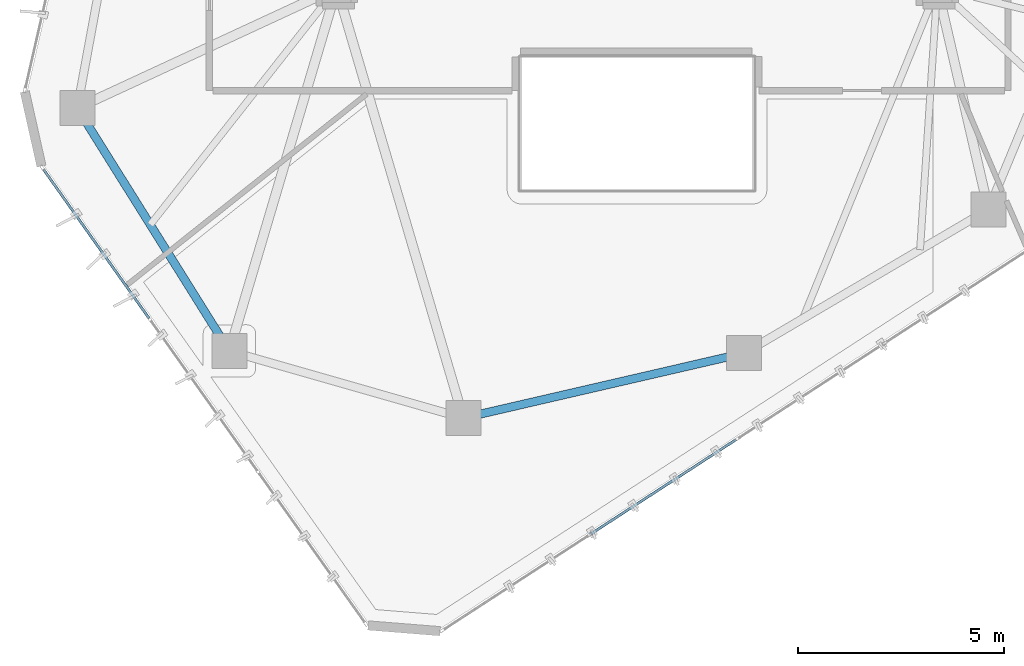
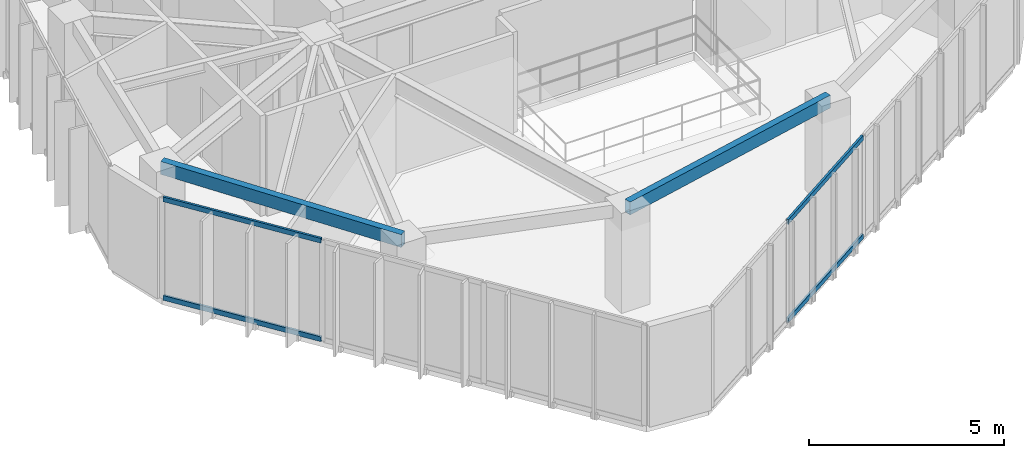
# One storey, part 3 of 20: 4 members, 2 beams, 2 elements without a shape of their own.
"""IFC4 building model written with IfcOpenShell, lengths in metres."""

import ifcopenshell
import ifcopenshell.guid

model = None  # the IFC model being written
_history = None  # IfcOwnerHistory: only IFC2X3 demands one
_inside = {}  # id of a spatial element -> (the spatial element, [elements in it])
_under = {}  # id of a project, library or spatial element -> (it, [spatial elements below it])
_declared = {}  # id of a project -> (the project, [libraries it declares])
_typed = {}  # id of a type object -> (the type object, [elements of that type])
_made_of = {}  # id of a material, layer set ... -> (it, [elements and type objects made of it])


def new_model(schema):
    """Start an empty IFC model of exactly this schema.

    Asked for "IFC4X3", IfcOpenShell would pick the latest addendum, in which some entities
    have other attributes; the version numbers below select the first issue.
    IFC2X3 requires an IfcOwnerHistory on every rooted entity: one is made here for all.
    """
    global model, _history
    if schema == "IFC4X3":
        model = ifcopenshell.file(schema_version=(4, 3, 0, 0))
    else:
        model = ifcopenshell.file(schema=schema)
    _inside.clear()
    _under.clear()
    _declared.clear()
    _typed.clear()
    _made_of.clear()
    _history = None
    if model.schema == "IFC2X3":
        org = make("IfcOrganization", Name="unknown")
        user = make(
            "IfcPersonAndOrganization",
            ThePerson=make("IfcPerson", FamilyName="unknown"),
            TheOrganization=org,
        )
        app = make(
            "IfcApplication",
            ApplicationDeveloper=org,
            Version="unknown",
            ApplicationFullName="unknown",
            ApplicationIdentifier="unknown",
        )
        _history = make(
            "IfcOwnerHistory",
            OwningUser=user,
            OwningApplication=app,
            ChangeAction="ADDED",
            CreationDate=0,
        )
    return model


def make(cls, **values):
    """One entity of the class cls with the attributes given. An attribute that is None is left unset."""
    return model.create_entity(
        cls, **{name: value for name, value in values.items() if value is not None}
    )


def rooted(cls, **values):
    """An entity with a GlobalId (a new one), such as an element, a storey or a relation."""
    return make(cls, GlobalId=ifcopenshell.guid.new(), OwnerHistory=_history, **values)


def si_unit(unit_type, name, prefix=None):
    """IfcSIUnit, for example si_unit("LENGTHUNIT", "METRE", prefix="MILLI")."""
    return make("IfcSIUnit", UnitType=unit_type, Prefix=prefix, Name=name)


def assignment(units):
    """IfcUnitAssignment: the units of a project."""
    return None if units is None else make("IfcUnitAssignment", Units=units)


def point(xyz):
    """IfcCartesianPoint."""
    return None if xyz is None else make("IfcCartesianPoint", Coordinates=xyz)


def direction(xyz):
    """IfcDirection."""
    return None if xyz is None else make("IfcDirection", DirectionRatios=xyz)


def frame(location, z_axis=None, x_axis=None):
    """IfcAxis2Placement3D, a coordinate frame: its origin and axes. An axis left out is left unset."""
    return make(
        "IfcAxis2Placement3D",
        Location=point(location),
        Axis=direction(z_axis),
        RefDirection=direction(x_axis),
    )


def frame_2d(location, x_axis=None):
    """IfcAxis2Placement2D, a coordinate frame in the plane: its origin and x axis."""
    return make(
        "IfcAxis2Placement2D", Location=point(location), RefDirection=direction(x_axis)
    )


def origin():
    """The frame at (0, 0, 0) with its axes left unset."""
    return frame((0.0, 0.0, 0.0))


def origin_2d():
    """The frame at (0, 0) in the plane with its x axis left unset."""
    return frame_2d((0.0, 0.0))


def place(relative_to, where):
    """IfcLocalPlacement: puts the frame where relative to a parent placement (None: the world)."""
    return make(
        "IfcLocalPlacement", PlacementRelTo=relative_to, RelativePlacement=where
    )


def context(
    kind, dimensions, precision=None, world=None, true_north=None, identifier=None
):
    """IfcGeometricRepresentationContext, for example the 3D "Model" context."""
    return make(
        "IfcGeometricRepresentationContext",
        ContextIdentifier=identifier,
        ContextType=kind,
        CoordinateSpaceDimension=dimensions,
        Precision=precision,
        WorldCoordinateSystem=world,
        TrueNorth=true_north,
    )


def subcontext(parent, identifier, kind, view, scale=None):
    """IfcGeometricRepresentationSubContext, for example "Body" below "Model"."""
    return make(
        "IfcGeometricRepresentationSubContext",
        ContextIdentifier=identifier,
        ContextType=kind,
        ParentContext=parent,
        TargetScale=scale,
        TargetView=view,
    )


def project(units=None, contexts=None):
    """IfcProject with its units and contexts."""
    return rooted(
        "IfcProject",
        Name="project",
        RepresentationContexts=contexts,
        UnitsInContext=assignment(units),
    )


def spatial(cls, under=None, at=None, **own):
    """A site, building, storey or space (cls), placed at a placement, below another one or the project."""
    s = rooted(cls, ObjectPlacement=at, **own)
    if under is not None:
        _under.setdefault(under.id(), (under, []))[1].append(s)
    return s


def profile(cls, at=None, kind="AREA", **sizes):
    """A parametric profile (cls). Its sizes go by their IFC names, for example OverallWidth=200.0."""
    return make(cls, ProfileType=kind, Position=at, **sizes)


def hollow_rectangle(**sizes):
    """IfcRectangleHollowProfileDef."""
    return profile("IfcRectangleHollowProfileDef", **sizes)


def extrude(swept, where, along, depth):
    """IfcExtrudedAreaSolid: the profile swept, set in the frame where, extruded along a direction by depth."""
    return make(
        "IfcExtrudedAreaSolid",
        SweptArea=swept,
        Position=where,
        ExtrudedDirection=direction(along),
        Depth=depth,
    )


def shape(context_of_items, identifier, shape_type, items):
    """IfcShapeRepresentation: the items that make up one representation, for example the "Body"."""
    return make(
        "IfcShapeRepresentation",
        ContextOfItems=context_of_items,
        RepresentationIdentifier=identifier,
        RepresentationType=shape_type,
        Items=items,
    )


def source(mapping_origin, context_of_items, identifier, shape_type, items):
    """IfcRepresentationMap: a shape defined once, which mapped items show again and again."""
    return make(
        "IfcRepresentationMap",
        MappingOrigin=mapping_origin,
        MappedRepresentation=shape(context_of_items, identifier, shape_type, items),
    )


def transform(
    local_origin,
    x_axis=None,
    y_axis=None,
    z_axis=None,
    scale=None,
    scale2=None,
    scale3=None,
    uniform=True,
):
    """IfcCartesianTransformationOperator3D, or its non-uniform kind. x_axis, y_axis, z_axis: its Axis1, 2, 3."""
    if uniform:
        return make(
            "IfcCartesianTransformationOperator3D",
            Axis1=direction(x_axis),
            Axis2=direction(y_axis),
            LocalOrigin=point(local_origin),
            Scale=scale,
            Axis3=direction(z_axis),
        )
    return make(
        "IfcCartesianTransformationOperator3DnonUniform",
        Axis1=direction(x_axis),
        Axis2=direction(y_axis),
        LocalOrigin=point(local_origin),
        Scale=scale,
        Axis3=direction(z_axis),
        Scale2=scale2,
        Scale3=scale3,
    )


def mapped(mapping_source, mapping_target):
    """IfcMappedItem: shows the shape of a source again, moved by a transform."""
    return make(
        "IfcMappedItem", MappingSource=mapping_source, MappingTarget=mapping_target
    )


def material(Name=None, Category=None):
    """IfcMaterial."""
    return make("IfcMaterial", Name=Name, Category=Category)


def layer(
    of_material, thickness, ventilated=None, Name=None, Category=None, Priority=None
):
    """IfcMaterialLayer: one layer of a wall or slab, of a material (None: an air gap)."""
    return make(
        "IfcMaterialLayer",
        Material=of_material,
        LayerThickness=thickness,
        IsVentilated=ventilated,
        Name=Name,
        Category=Category,
        Priority=Priority,
    )


def layer_set(layers, Name=None):
    """IfcMaterialLayerSet."""
    return make("IfcMaterialLayerSet", MaterialLayers=layers, LayerSetName=Name)


def material_profile(
    of_material, cross_section, Name=None, Category=None, Priority=None
):
    """IfcMaterialProfile: a cross section and its material."""
    return make(
        "IfcMaterialProfile",
        Name=Name,
        Material=of_material,
        Profile=cross_section,
        Priority=Priority,
        Category=Category,
    )


def profile_set(profiles, Name=None, composite=None):
    """IfcMaterialProfileSet."""
    return make(
        "IfcMaterialProfileSet",
        Name=Name,
        MaterialProfiles=profiles,
        CompositeProfile=composite,
    )


def made_of(thing, what):
    """Note that an element or type object is made of a material, layer set ...; save() writes the relation."""
    if what is not None:
        _made_of.setdefault(what.id(), (what, []))[1].append(thing)
    return thing


def type_object(cls, material=None, **own):
    """A type object (cls), such as IfcWallType, which elements share."""
    return made_of(rooted(cls, **own), material)


def type_shapes(of_type, sources):
    """Give a type object the sources (RepresentationMaps) that its elements show as mapped items."""
    of_type.RepresentationMaps = sources


def element(
    cls,
    number,
    at=None,
    inside=None,
    cuts=None,
    type_object=None,
    material=None,
    context=None,
    identifier="Body",
    shape_type=None,
    held_by="IfcProductDefinitionShape",
    body=None,
    shapes=None,
    **own,
):
    """One element of the class cls, such as IfcWall. Its Tag is "e" and its number.

    at: its placement. inside: the storey or other place that contains it. cuts: it is an
    opening in that element (IfcRelVoidsElement). A single representation is given by context,
    identifier, shape_type and body (its items); several are given by shapes. held_by: the class
    of the entity that holds the representations. save() writes the other relations.
    """
    e = rooted(cls, Tag="e%d" % number, ObjectPlacement=at, **own)
    if body is not None:
        shapes = [shape(context, identifier, shape_type, body)]
    if shapes is not None:
        e.Representation = make(held_by, Representations=shapes)
    if inside is not None:
        _inside.setdefault(inside.id(), (inside, []))[1].append(e)
    if cuts is not None:
        rooted(
            "IfcRelVoidsElement", RelatingBuildingElement=cuts, RelatedOpeningElement=e
        )
    if type_object is not None:
        _typed.setdefault(type_object.id(), (type_object, []))[1].append(e)
    return made_of(e, material)


def aggregate(whole, parts):
    """IfcRelAggregates: a whole, such as a stair, and the parts it consists of."""
    return rooted("IfcRelAggregates", RelatingObject=whole, RelatedObjects=parts)


def save(model, path):
    """Write the relations noted so far, then the file.

    IfcRelAggregates (storeys below a building ...), IfcRelContainedInSpatialStructure (elements
    in a storey), IfcRelDefinesByType, IfcRelAssociatesMaterial and IfcRelDeclares: one each for
    every whole, place, type object, material and project.
    """
    for whole, parts in _under.values():
        aggregate(whole, parts)
    for where, things in _inside.values():
        rooted(
            "IfcRelContainedInSpatialStructure",
            RelatedElements=things,
            RelatingStructure=where,
        )
    for kind, things in _typed.values():
        rooted("IfcRelDefinesByType", RelatedObjects=things, RelatingType=kind)
    for what, things in _made_of.values():
        rooted("IfcRelAssociatesMaterial", RelatedObjects=things, RelatingMaterial=what)
    for by, libraries in _declared.values():
        rooted("IfcRelDeclares", RelatingContext=by, RelatedDefinitions=libraries)
    model.write(path)


model = new_model("IFC4")

# Units and contexts
model_context = context("Model", 3, precision=1e-05, world=origin(), true_north=direction((0.0, 1.0)))
body_context = subcontext(model_context, "Body", "Model", "MODEL_VIEW")
ifc_project = project(units=[si_unit("LENGTHUNIT", "METRE"), si_unit("AREAUNIT", "SQUARE_METRE"), si_unit("VOLUMEUNIT", "CUBIC_METRE"), si_unit("PLANEANGLEUNIT", "RADIAN"), si_unit("MASSUNIT", "GRAM", prefix="KILO")], contexts=[model_context])

# Site, building, storey
site_placement = place(None, origin())
site = spatial("IfcSite", under=ifc_project, at=site_placement, CompositionType="ELEMENT")
building_placement = place(site_placement, origin())
building = spatial("IfcBuilding", under=site, at=building_placement, Name="Talar Marvaseh", CompositionType="ELEMENT")
storey_placement = place(building_placement, frame((0.0, 0.0, 247.60009765625)))
storey = spatial("IfcBuildingStorey", under=building, at=storey_placement, Name="L65", CompositionType="ELEMENT", Elevation=247.60009765625)

# Beams
ifc_material_1 = material(Name="Steel S355", Category="steel")
ifc_material_profile_1 = material_profile(ifc_material_1, hollow_rectangle(XDim=0.199951171875, YDim=0.39990234375, WallThickness=0.013916015625, at=origin_2d()), Name="RHS400x200x14")
ifc_profile_set_1 = profile_set([ifc_material_profile_1], Name="Steel S355")
beam_type = type_object("IfcBeamType", Name="Zone 3 Perimeter Spandrel Beam RHS400x200x14", PredefinedType="SPANDREL", material=ifc_profile_set_1)
beam_1_placement = place(storey_placement, frame((28.60498046875, 16.616943359375, 2.93994140625), z_axis=(-0.974361245946, -0.22498924952, 0.0), x_axis=(0.22498924952, -0.974361245946, 0.0)))
element("IfcBeam", 1, at=beam_1_placement, inside=storey, type_object=beam_type, Name="L65 Zone 3 Perimeter Spandrel Beam RHS400x200x14", PredefinedType="SPANDREL", context=body_context, shape_type="SweptSolid", body=[
    extrude(hollow_rectangle(XDim=0.199951171875, YDim=0.39990234375, WallThickness=0.013916015625, at=origin_2d()), origin(), (0.0, 0.0, 1.0), 7.0087890625),
])
beam_2_placement = place(storey_placement, frame((16.0869140625, 16.66796875, 2.93994140625), z_axis=(-0.530505706813, 0.847681364098, 0.0), x_axis=(-0.847681364098, -0.530505706813, 0.0)))
element("IfcBeam", 2, at=beam_2_placement, inside=storey, type_object=beam_type, Name="L65 Zone 3 Perimeter Spandrel Beam RHS400x200x14", PredefinedType="SPANDREL", context=body_context, shape_type="SweptSolid", body=[
    extrude(hollow_rectangle(XDim=0.199951171875, YDim=0.39990234375, WallThickness=0.013916015625, at=origin_2d()), origin(), (0.0, 0.0, 1.0), 6.970703125),
])

# Curtain wall, members
ifc_material_2 = material(Name="Architectural Aluminium", Category="aluminium")
ifc_layer = layer(ifc_material_2, 0.179931640625)
ifc_layer_set = layer_set([ifc_layer], Name="Architectural Aluminium")
curtain_wall_type = type_object("IfcCurtainWallType", Name="Unitised High-Wind Sky Curtain Wall Z4", PredefinedType="NOTDEFINED", material=ifc_layer_set)
curtain_wall_1_placement = place(storey_placement, origin())
curtain_wall_1 = element("IfcCurtainWall", 3, at=curtain_wall_1_placement, inside=storey, type_object=curtain_wall_type, Name="L65 Unitised High-Wind Sky Curtain Wall Z4", PredefinedType="NOTDEFINED")
ifc_material_profile_2 = material_profile(ifc_material_2, hollow_rectangle(XDim=0.06494140625, YDim=0.14990234375, WallThickness=0.00390625, at=origin_2d()), Name="RHS150x65x4")
ifc_profile_set_2 = profile_set([ifc_material_profile_2], Name="Architectural Aluminium")
member_type = type_object("IfcMemberType", Name="Unitised Curtain Wall Slim Transom RHS150x65x4", PredefinedType="USERDEFINED", material=ifc_profile_set_2)
shared_shape_1 = source(origin(), body_context, "Body", "SweptSolid", [
    extrude(hollow_rectangle(XDim=0.06494140625, YDim=0.14990234375, WallThickness=0.00390625, at=origin_2d()), origin(), (0.0, 0.0, 1.0), 4.447265625),
])
member_1_placement = place(storey_placement, frame((14.13671875, 17.461669921875, 0.032470703125), z_axis=(-0.578487885569, 0.815690974726, 0.0), x_axis=(-0.815690974726, -0.578487885569, 0.0)))
member_1 = element("IfcMember", 4, at=member_1_placement, type_object=member_type, Name="CW-Z4 transom 3.1", ObjectType="TRANSOM", PredefinedType="USERDEFINED", context=body_context, shape_type="MappedRepresentation", body=[
    mapped(shared_shape_1, transform((0.0, 0.0, 0.0), x_axis=(1.0, 0.0, 0.0), y_axis=(0.0, 1.0, 0.0), z_axis=(0.0, 0.0, 1.0), scale=1.0)),
])
member_2_placement = place(storey_placement, frame((14.13671875, 17.461669921875, 3.107421875), z_axis=(-0.578487885569, 0.815690974726, 0.0), x_axis=(-0.815690974726, -0.578487885569, 0.0)))
member_2 = element("IfcMember", 5, at=member_2_placement, type_object=member_type, Name="CW-Z4 transom 3.2", ObjectType="TRANSOM", PredefinedType="USERDEFINED", context=body_context, shape_type="MappedRepresentation", body=[
    mapped(shared_shape_1, transform((0.0, 0.0, 0.0), x_axis=(1.0, 0.0, 0.0), y_axis=(0.0, 1.0, 0.0), z_axis=(0.0, 0.0, 1.0), scale=1.0)),
])
aggregate(curtain_wall_1, [member_1, member_2])

curtain_wall_2_placement = place(storey_placement, origin())
curtain_wall_2 = element("IfcCurtainWall", 6, at=curtain_wall_2_placement, inside=storey, type_object=curtain_wall_type, Name="L65 Unitised High-Wind Sky Curtain Wall Z4", PredefinedType="NOTDEFINED")
shared_shape_2 = source(origin(), body_context, "Body", "SweptSolid", [
    extrude(hollow_rectangle(XDim=0.06494140625, YDim=0.14990234375, WallThickness=0.00390625, at=origin_2d()), origin(), (0.0, 0.0, 1.0), 4.22119140625),
])
type_shapes(member_type, [shared_shape_1, shared_shape_2])
member_3_placement = place(storey_placement, frame((28.40966796875, 14.517333984375, 0.032470703125), z_axis=(-0.838584979776, -0.544770806573, 0.0), x_axis=(0.544770806573, -0.838584979776, 0.0)))
member_3 = element("IfcMember", 7, at=member_3_placement, type_object=member_type, Name="CW-Z4 transom 3.1", ObjectType="TRANSOM", PredefinedType="USERDEFINED", context=body_context, shape_type="MappedRepresentation", body=[
    mapped(shared_shape_2, transform((0.0, 0.0, 0.0), x_axis=(1.0, 0.0, 0.0), y_axis=(0.0, 1.0, 0.0), z_axis=(0.0, 0.0, 1.0), scale=1.0)),
])
member_4_placement = place(storey_placement, frame((28.40966796875, 14.517333984375, 3.107421875), z_axis=(-0.838584979776, -0.544770806573, 0.0), x_axis=(0.544770806573, -0.838584979776, 0.0)))
member_4 = element("IfcMember", 8, at=member_4_placement, type_object=member_type, Name="CW-Z4 transom 3.2", ObjectType="TRANSOM", PredefinedType="USERDEFINED", context=body_context, shape_type="MappedRepresentation", body=[
    mapped(shared_shape_2, transform((0.0, 0.0, 0.0), x_axis=(1.0, 0.0, 0.0), y_axis=(0.0, 1.0, 0.0), z_axis=(0.0, 0.0, 1.0), scale=1.0)),
])
aggregate(curtain_wall_2, [member_3, member_4])

save(model, "model.ifc")
